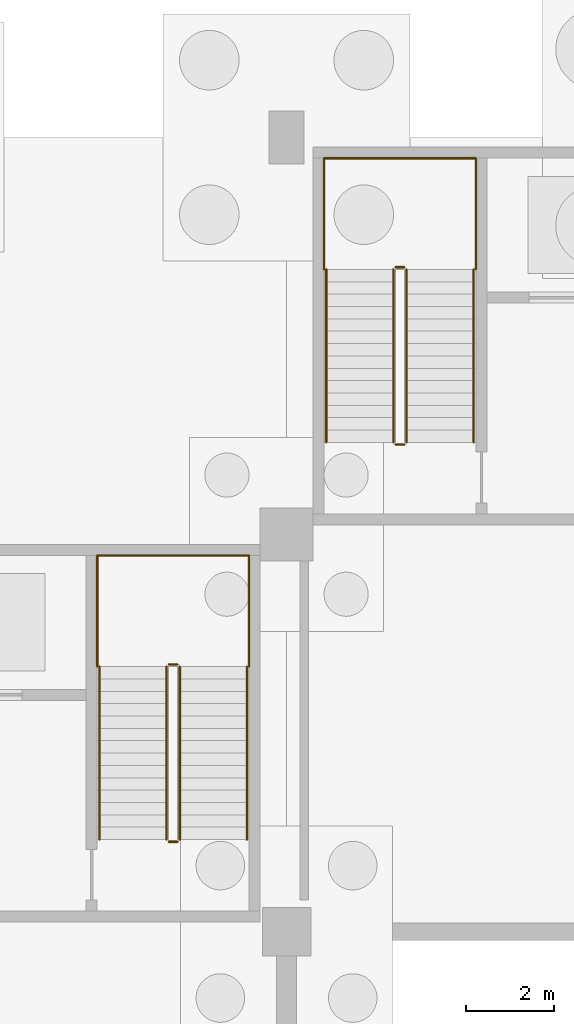
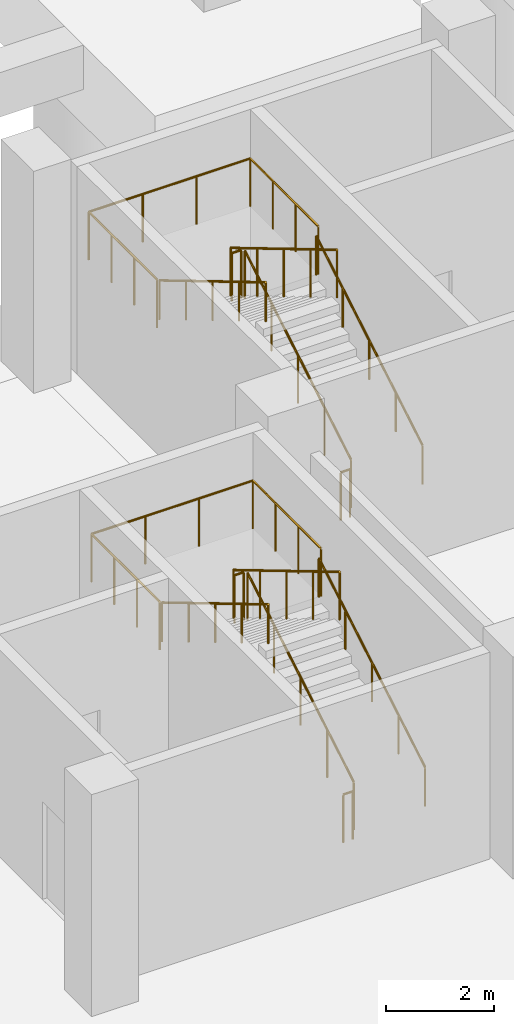
# One storey, part 25 of 37: 18 railings.
"""IFC4 building model written with IfcOpenShell, lengths in metres."""

from ifc_helpers import new_model, si_unit, direction, frame, origin, origin_2d, place, context, subcontext, project, spatial, circle, extrude, material, type_object, element, save


model = new_model("IFC4")

# Units and contexts
model_context = context("Model", 3, precision=1e-05, world=origin(), true_north=direction((0.0, 1.0)))
body_context = subcontext(model_context, "Body", "Model", "MODEL_VIEW")
ifc_project = project(units=[si_unit("LENGTHUNIT", "METRE"), si_unit("AREAUNIT", "SQUARE_METRE"), si_unit("VOLUMEUNIT", "CUBIC_METRE"), si_unit("PLANEANGLEUNIT", "RADIAN"), si_unit("MASSUNIT", "GRAM", prefix="KILO")], contexts=[model_context])

# Site, building, storey
site_placement = place(None, origin())
site = spatial("IfcSite", under=ifc_project, at=site_placement, CompositionType="ELEMENT")
building_placement = place(site_placement, origin())
building = spatial("IfcBuilding", under=site, at=building_placement, Name="Barlavento Convention Centre", CompositionType="ELEMENT")
storey_placement = place(building_placement, frame((0.0, 0.0, -5.0)))
storey = spatial("IfcBuildingStorey", under=building, at=storey_placement, Name="B1", CompositionType="ELEMENT", Elevation=-5.0)

# Railings
ifc_material_1 = material(Name="Stainless steel and laminated glass balustrade", Category="steel")
railing_type_1 = type_object("IfcRailingType", Name="ARC-RAL-BAL-1100", PredefinedType="BALUSTRADE", material=ifc_material_1)
railing_1_placement = place(storey_placement, frame((60.580078125, 38.090087890625, 0.166748046875)))
element("IfcRailing", 1, at=railing_1_placement, inside=storey, type_object=railing_type_1, Name="B1 ST02 stair guard 1", PredefinedType="BALUSTRADE", context=body_context, shape_type="SweptSolid", body=[
    extrude(circle(Radius=0.02392578125, at=origin_2d()), frame((0.0, 0.0, 1.076171875), z_axis=(0.0, 0.859296244711, 0.511478214419), x_axis=(-1.0, 0.0, 0.0)), (0.0, 0.0, 1.0), 4.561767578125),
    extrude(circle(Radius=0.02099609375, at=origin_2d()), origin(), (0.0, 0.0, 1.0), 1.052001953125),
    extrude(circle(Radius=0.02099609375, at=origin_2d()), frame((0.0, 0.97998046875, 0.583251953125)), (0.0, 0.0, 1.0), 1.052001953125),
    extrude(circle(Radius=0.02099609375, at=origin_2d()), frame((0.0, 1.9599609375, 1.16650390625)), (0.0, 0.0, 1.0), 1.052001953125),
    extrude(circle(Radius=0.02099609375, at=origin_2d()), frame((0.0, 2.93994140625, 1.75)), (0.0, 0.0, 1.0), 1.052001953125),
    extrude(circle(Radius=0.02099609375, at=origin_2d()), frame((0.0, 3.919921875, 2.333251953125)), (0.0, 0.0, 1.0), 1.052001953125),
])
railing_2_placement = place(storey_placement, frame((60.530029296875, 42.06005859375, 2.5)))
element("IfcRailing", 2, at=railing_2_placement, inside=storey, type_object=railing_type_1, Name="B1 ST02 stair guard 2", PredefinedType="BALUSTRADE", context=body_context, shape_type="SweptSolid", body=[
    extrude(circle(Radius=0.02392578125, at=origin_2d()), frame((0.0, 0.0, 1.076171875), z_axis=(-1.0, 0.0, 0.0), x_axis=(0.0, -1.0, 0.0)), (0.0, 0.0, 1.0), 0.199951171875),
    extrude(circle(Radius=0.02099609375, at=origin_2d()), origin(), (0.0, 0.0, 1.0), 1.052001953125),
    extrude(circle(Radius=0.02099609375, at=origin_2d()), frame((-0.199951171875, 0.0, 0.0)), (0.0, 0.0, 1.0), 1.052001953125),
])
railing_3_placement = place(storey_placement, frame((60.280029296875, 42.010009765625, 2.666748046875)))
element("IfcRailing", 3, at=railing_3_placement, inside=storey, type_object=railing_type_1, Name="B1 ST02 stair guard 3", PredefinedType="BALUSTRADE", context=body_context, shape_type="SweptSolid", body=[
    extrude(circle(Radius=0.02392578125, at=origin_2d()), frame((0.0, 0.0, 1.076171875), z_axis=(0.0, -0.859296244711, 0.511478214419), x_axis=(1.0, 0.0, 0.0)), (0.0, 0.0, 1.0), 4.561767578125),
    extrude(circle(Radius=0.02099609375, at=origin_2d()), origin(), (0.0, 0.0, 1.0), 1.052001953125),
    extrude(circle(Radius=0.02099609375, at=origin_2d()), frame((0.0, -0.97998046875, 0.583251953125)), (0.0, 0.0, 1.0), 1.052001953125),
    extrude(circle(Radius=0.02099609375, at=origin_2d()), frame((0.0, -1.9599609375, 1.16650390625)), (0.0, 0.0, 1.0), 1.052001953125),
    extrude(circle(Radius=0.02099609375, at=origin_2d()), frame((0.0, -2.93994140625, 1.75)), (0.0, 0.0, 1.0), 1.052001953125),
    extrude(circle(Radius=0.02099609375, at=origin_2d()), frame((0.0, -3.919921875, 2.333251953125)), (0.0, 0.0, 1.0), 1.052001953125),
])
railing_4_placement = place(storey_placement, frame((60.530029296875, 38.0400390625, 0.0)))
element("IfcRailing", 4, at=railing_4_placement, inside=storey, type_object=railing_type_1, Name="B1 ST02 stair guard 4", PredefinedType="BALUSTRADE", context=body_context, shape_type="SweptSolid", body=[
    extrude(circle(Radius=0.02392578125, at=origin_2d()), frame((0.0, 0.0, 1.076171875), z_axis=(-1.0, 0.0, 0.0), x_axis=(0.0, -1.0, 0.0)), (0.0, 0.0, 1.0), 0.199951171875),
    extrude(circle(Radius=0.02099609375, at=origin_2d()), origin(), (0.0, 0.0, 1.0), 1.052001953125),
    extrude(circle(Radius=0.02099609375, at=origin_2d()), frame((-0.199951171875, 0.0, 0.0)), (0.0, 0.0, 1.0), 1.052001953125),
])
for number, where, name in (
    (5, (62.14990234375, 42.010009765625, 2.5), "B1 landing guard GR01"),
    (6, (58.7099609375, 42.010009765625, 2.5), "B1 landing guard GR01"),
):
    element("IfcRailing", number, at=place(storey_placement, frame(where)), inside=storey, type_object=railing_type_1, Name=name, PredefinedType="BALUSTRADE", context=body_context, shape_type="SweptSolid", body=[
        extrude(circle(Radius=0.02392578125, at=origin_2d()), frame((0.0, 0.0, 1.076171875), z_axis=(0.0, 1.0, 0.0), x_axis=(-1.0, 0.0, 0.0)), (0.0, 0.0, 1.0), 2.52001953125),
        extrude(circle(Radius=0.02099609375, at=origin_2d()), origin(), (0.0, 0.0, 1.0), 1.052001953125),
        extrude(circle(Radius=0.02099609375, at=origin_2d()), frame((0.0, 0.840087890625, 0.0)), (0.0, 0.0, 1.0), 1.052001953125),
        extrude(circle(Radius=0.02099609375, at=origin_2d()), frame((0.0, 1.679931640625, 0.0)), (0.0, 0.0, 1.0), 1.052001953125),
        extrude(circle(Radius=0.02099609375, at=origin_2d()), frame((0.0, 2.52001953125, 0.0)), (0.0, 0.0, 1.0), 1.052001953125),
    ])
railing_5_placement = place(storey_placement, frame((62.14990234375, 44.530029296875, 2.5)))
element("IfcRailing", 7, at=railing_5_placement, inside=storey, type_object=railing_type_1, Name="B1 landing guard GR01", PredefinedType="BALUSTRADE", context=body_context, shape_type="SweptSolid", body=[
    extrude(circle(Radius=0.02392578125, at=origin_2d()), frame((0.0, 0.0, 1.076171875), z_axis=(-1.0, 0.0, 0.0), x_axis=(0.0, -1.0, 0.0)), (0.0, 0.0, 1.0), 3.43994140625),
    extrude(circle(Radius=0.02099609375, at=origin_2d()), origin(), (0.0, 0.0, 1.0), 1.052001953125),
    extrude(circle(Radius=0.02099609375, at=origin_2d()), frame((-1.146728515625, 0.0, 0.0)), (0.0, 0.0, 1.0), 1.052001953125),
    extrude(circle(Radius=0.02099609375, at=origin_2d()), frame((-2.293212890625, 0.0, 0.0)), (0.0, 0.0, 1.0), 1.052001953125),
    extrude(circle(Radius=0.02099609375, at=origin_2d()), frame((-3.43994140625, 0.0, 0.0)), (0.0, 0.0, 1.0), 1.052001953125),
])
railing_6_placement = place(storey_placement, frame((65.719970703125, 47.090087890625, 0.166748046875)))
element("IfcRailing", 8, at=railing_6_placement, inside=storey, type_object=railing_type_1, Name="B1 ST03 stair guard 1", PredefinedType="BALUSTRADE", context=body_context, shape_type="SweptSolid", body=[
    extrude(circle(Radius=0.02392578125, at=origin_2d()), frame((0.0, 0.0, 1.076171875), z_axis=(0.0, 0.859296244711, 0.511478214419), x_axis=(-1.0, 0.0, 0.0)), (0.0, 0.0, 1.0), 4.561767578125),
    extrude(circle(Radius=0.02099609375, at=origin_2d()), origin(), (0.0, 0.0, 1.0), 1.052001953125),
    extrude(circle(Radius=0.02099609375, at=origin_2d()), frame((0.0, 0.97998046875, 0.583251953125)), (0.0, 0.0, 1.0), 1.052001953125),
    extrude(circle(Radius=0.02099609375, at=origin_2d()), frame((0.0, 1.9599609375, 1.16650390625)), (0.0, 0.0, 1.0), 1.052001953125),
    extrude(circle(Radius=0.02099609375, at=origin_2d()), frame((0.0, 2.93994140625, 1.75)), (0.0, 0.0, 1.0), 1.052001953125),
    extrude(circle(Radius=0.02099609375, at=origin_2d()), frame((0.0, 3.919921875, 2.333251953125)), (0.0, 0.0, 1.0), 1.052001953125),
])
railing_7_placement = place(storey_placement, frame((65.669921875, 51.06005859375, 2.5)))
element("IfcRailing", 9, at=railing_7_placement, inside=storey, type_object=railing_type_1, Name="B1 ST03 stair guard 2", PredefinedType="BALUSTRADE", context=body_context, shape_type="SweptSolid", body=[
    extrude(circle(Radius=0.02392578125, at=origin_2d()), frame((0.0, 0.0, 1.076171875), z_axis=(-1.0, 0.0, 0.0), x_axis=(0.0, -1.0, 0.0)), (0.0, 0.0, 1.0), 0.199951171875),
    extrude(circle(Radius=0.02099609375, at=origin_2d()), origin(), (0.0, 0.0, 1.0), 1.052001953125),
    extrude(circle(Radius=0.02099609375, at=origin_2d()), frame((-0.199951171875, 0.0, 0.0)), (0.0, 0.0, 1.0), 1.052001953125),
])
railing_8_placement = place(storey_placement, frame((65.419921875, 51.010009765625, 2.666748046875)))
element("IfcRailing", 10, at=railing_8_placement, inside=storey, type_object=railing_type_1, Name="B1 ST03 stair guard 3", PredefinedType="BALUSTRADE", context=body_context, shape_type="SweptSolid", body=[
    extrude(circle(Radius=0.02392578125, at=origin_2d()), frame((0.0, 0.0, 1.076171875), z_axis=(0.0, -0.859296244711, 0.511478214419), x_axis=(1.0, 0.0, 0.0)), (0.0, 0.0, 1.0), 4.561767578125),
    extrude(circle(Radius=0.02099609375, at=origin_2d()), origin(), (0.0, 0.0, 1.0), 1.052001953125),
    extrude(circle(Radius=0.02099609375, at=origin_2d()), frame((0.0, -0.97998046875, 0.583251953125)), (0.0, 0.0, 1.0), 1.052001953125),
    extrude(circle(Radius=0.02099609375, at=origin_2d()), frame((0.0, -1.9599609375, 1.16650390625)), (0.0, 0.0, 1.0), 1.052001953125),
    extrude(circle(Radius=0.02099609375, at=origin_2d()), frame((0.0, -2.93994140625, 1.75)), (0.0, 0.0, 1.0), 1.052001953125),
    extrude(circle(Radius=0.02099609375, at=origin_2d()), frame((0.0, -3.919921875, 2.333251953125)), (0.0, 0.0, 1.0), 1.052001953125),
])
railing_9_placement = place(storey_placement, frame((65.669921875, 47.0400390625, 0.0)))
element("IfcRailing", 11, at=railing_9_placement, inside=storey, type_object=railing_type_1, Name="B1 ST03 stair guard 4", PredefinedType="BALUSTRADE", context=body_context, shape_type="SweptSolid", body=[
    extrude(circle(Radius=0.02392578125, at=origin_2d()), frame((0.0, 0.0, 1.076171875), z_axis=(-1.0, 0.0, 0.0), x_axis=(0.0, -1.0, 0.0)), (0.0, 0.0, 1.0), 0.199951171875),
    extrude(circle(Radius=0.02099609375, at=origin_2d()), origin(), (0.0, 0.0, 1.0), 1.052001953125),
    extrude(circle(Radius=0.02099609375, at=origin_2d()), frame((-0.199951171875, 0.0, 0.0)), (0.0, 0.0, 1.0), 1.052001953125),
])
for number, where, name in (
    (12, (67.2900390625, 51.010009765625, 2.5), "B1 landing guard GR01"),
    (13, (63.85009765625, 51.010009765625, 2.5), "B1 landing guard GR01"),
):
    element("IfcRailing", number, at=place(storey_placement, frame(where)), inside=storey, type_object=railing_type_1, Name=name, PredefinedType="BALUSTRADE", context=body_context, shape_type="SweptSolid", body=[
        extrude(circle(Radius=0.02392578125, at=origin_2d()), frame((0.0, 0.0, 1.076171875), z_axis=(0.0, 1.0, 0.0), x_axis=(-1.0, 0.0, 0.0)), (0.0, 0.0, 1.0), 2.52001953125),
        extrude(circle(Radius=0.02099609375, at=origin_2d()), origin(), (0.0, 0.0, 1.0), 1.052001953125),
        extrude(circle(Radius=0.02099609375, at=origin_2d()), frame((0.0, 0.840087890625, 0.0)), (0.0, 0.0, 1.0), 1.052001953125),
        extrude(circle(Radius=0.02099609375, at=origin_2d()), frame((0.0, 1.679931640625, 0.0)), (0.0, 0.0, 1.0), 1.052001953125),
        extrude(circle(Radius=0.02099609375, at=origin_2d()), frame((0.0, 2.52001953125, 0.0)), (0.0, 0.0, 1.0), 1.052001953125),
    ])
railing_10_placement = place(storey_placement, frame((67.2900390625, 53.530029296875, 2.5)))
element("IfcRailing", 14, at=railing_10_placement, inside=storey, type_object=railing_type_1, Name="B1 landing guard GR01", PredefinedType="BALUSTRADE", context=body_context, shape_type="SweptSolid", body=[
    extrude(circle(Radius=0.02392578125, at=origin_2d()), frame((0.0, 0.0, 1.076171875), z_axis=(-1.0, 0.0, 0.0), x_axis=(0.0, -1.0, 0.0)), (0.0, 0.0, 1.0), 3.43994140625),
    extrude(circle(Radius=0.02099609375, at=origin_2d()), origin(), (0.0, 0.0, 1.0), 1.052001953125),
    extrude(circle(Radius=0.02099609375, at=origin_2d()), frame((-1.146728515625, 0.0, 0.0)), (0.0, 0.0, 1.0), 1.052001953125),
    extrude(circle(Radius=0.02099609375, at=origin_2d()), frame((-2.293212890625, 0.0, 0.0)), (0.0, 0.0, 1.0), 1.052001953125),
    extrude(circle(Radius=0.02099609375, at=origin_2d()), frame((-3.43994140625, 0.0, 0.0)), (0.0, 0.0, 1.0), 1.052001953125),
])
ifc_material_2 = material(Name="Brushed stainless steel tubular handrail", Category="steel")
railing_type_2 = type_object("IfcRailingType", Name="ARC-RAL-HR-900", PredefinedType="HANDRAIL", material=ifc_material_2)
railing_11_placement = place(storey_placement, frame((62.10009765625, 38.090087890625, 0.166748046875)))
element("IfcRailing", 15, at=railing_11_placement, inside=storey, type_object=railing_type_2, Name="B1 ST02 stair handrail 1", PredefinedType="HANDRAIL", context=body_context, shape_type="SweptSolid", body=[
    extrude(circle(Radius=0.02392578125, at=origin_2d()), frame((0.0, 0.0, 0.8759765625), z_axis=(0.0, 0.859296244711, 0.511478214419), x_axis=(-1.0, 0.0, 0.0)), (0.0, 0.0, 1.0), 4.561767578125),
    extrude(circle(Radius=0.02099609375, at=origin_2d()), origin(), (0.0, 0.0, 1.0), 0.851806640625),
    extrude(circle(Radius=0.02099609375, at=origin_2d()), frame((0.0, 0.97998046875, 0.583251953125)), (0.0, 0.0, 1.0), 0.851806640625),
    extrude(circle(Radius=0.02099609375, at=origin_2d()), frame((0.0, 1.9599609375, 1.16650390625)), (0.0, 0.0, 1.0), 0.851806640625),
    extrude(circle(Radius=0.02099609375, at=origin_2d()), frame((0.0, 2.93994140625, 1.75)), (0.0, 0.0, 1.0), 0.851806640625),
    extrude(circle(Radius=0.02099609375, at=origin_2d()), frame((0.0, 3.919921875, 2.333251953125)), (0.0, 0.0, 1.0), 0.851806640625),
])
railing_12_placement = place(storey_placement, frame((58.760009765625, 42.010009765625, 2.666748046875)))
element("IfcRailing", 16, at=railing_12_placement, inside=storey, type_object=railing_type_2, Name="B1 ST02 stair handrail 2", PredefinedType="HANDRAIL", context=body_context, shape_type="SweptSolid", body=[
    extrude(circle(Radius=0.02392578125, at=origin_2d()), frame((0.0, 0.0, 0.8759765625), z_axis=(0.0, -0.859296244711, 0.511478214419), x_axis=(1.0, 0.0, 0.0)), (0.0, 0.0, 1.0), 4.561767578125),
    extrude(circle(Radius=0.02099609375, at=origin_2d()), origin(), (0.0, 0.0, 1.0), 0.851806640625),
    extrude(circle(Radius=0.02099609375, at=origin_2d()), frame((0.0, -0.97998046875, 0.583251953125)), (0.0, 0.0, 1.0), 0.851806640625),
    extrude(circle(Radius=0.02099609375, at=origin_2d()), frame((0.0, -1.9599609375, 1.16650390625)), (0.0, 0.0, 1.0), 0.851806640625),
    extrude(circle(Radius=0.02099609375, at=origin_2d()), frame((0.0, -2.93994140625, 1.75)), (0.0, 0.0, 1.0), 0.851806640625),
    extrude(circle(Radius=0.02099609375, at=origin_2d()), frame((0.0, -3.919921875, 2.333251953125)), (0.0, 0.0, 1.0), 0.851806640625),
])
railing_13_placement = place(storey_placement, frame((67.239990234375, 47.090087890625, 0.166748046875)))
element("IfcRailing", 17, at=railing_13_placement, inside=storey, type_object=railing_type_2, Name="B1 ST03 stair handrail 1", PredefinedType="HANDRAIL", context=body_context, shape_type="SweptSolid", body=[
    extrude(circle(Radius=0.02392578125, at=origin_2d()), frame((0.0, 0.0, 0.8759765625), z_axis=(0.0, 0.859296244711, 0.511478214419), x_axis=(-1.0, 0.0, 0.0)), (0.0, 0.0, 1.0), 4.561767578125),
    extrude(circle(Radius=0.02099609375, at=origin_2d()), origin(), (0.0, 0.0, 1.0), 0.851806640625),
    extrude(circle(Radius=0.02099609375, at=origin_2d()), frame((0.0, 0.97998046875, 0.583251953125)), (0.0, 0.0, 1.0), 0.851806640625),
    extrude(circle(Radius=0.02099609375, at=origin_2d()), frame((0.0, 1.9599609375, 1.16650390625)), (0.0, 0.0, 1.0), 0.851806640625),
    extrude(circle(Radius=0.02099609375, at=origin_2d()), frame((0.0, 2.93994140625, 1.75)), (0.0, 0.0, 1.0), 0.851806640625),
    extrude(circle(Radius=0.02099609375, at=origin_2d()), frame((0.0, 3.919921875, 2.333251953125)), (0.0, 0.0, 1.0), 0.851806640625),
])
railing_14_placement = place(storey_placement, frame((63.89990234375, 51.010009765625, 2.666748046875)))
element("IfcRailing", 18, at=railing_14_placement, inside=storey, type_object=railing_type_2, Name="B1 ST03 stair handrail 2", PredefinedType="HANDRAIL", context=body_context, shape_type="SweptSolid", body=[
    extrude(circle(Radius=0.02392578125, at=origin_2d()), frame((0.0, 0.0, 0.8759765625), z_axis=(0.0, -0.859296244711, 0.511478214419), x_axis=(1.0, 0.0, 0.0)), (0.0, 0.0, 1.0), 4.561767578125),
    extrude(circle(Radius=0.02099609375, at=origin_2d()), origin(), (0.0, 0.0, 1.0), 0.851806640625),
    extrude(circle(Radius=0.02099609375, at=origin_2d()), frame((0.0, -0.97998046875, 0.583251953125)), (0.0, 0.0, 1.0), 0.851806640625),
    extrude(circle(Radius=0.02099609375, at=origin_2d()), frame((0.0, -1.9599609375, 1.16650390625)), (0.0, 0.0, 1.0), 0.851806640625),
    extrude(circle(Radius=0.02099609375, at=origin_2d()), frame((0.0, -2.93994140625, 1.75)), (0.0, 0.0, 1.0), 0.851806640625),
    extrude(circle(Radius=0.02099609375, at=origin_2d()), frame((0.0, -3.919921875, 2.333251953125)), (0.0, 0.0, 1.0), 0.851806640625),
])

save(model, "model.ifc")
